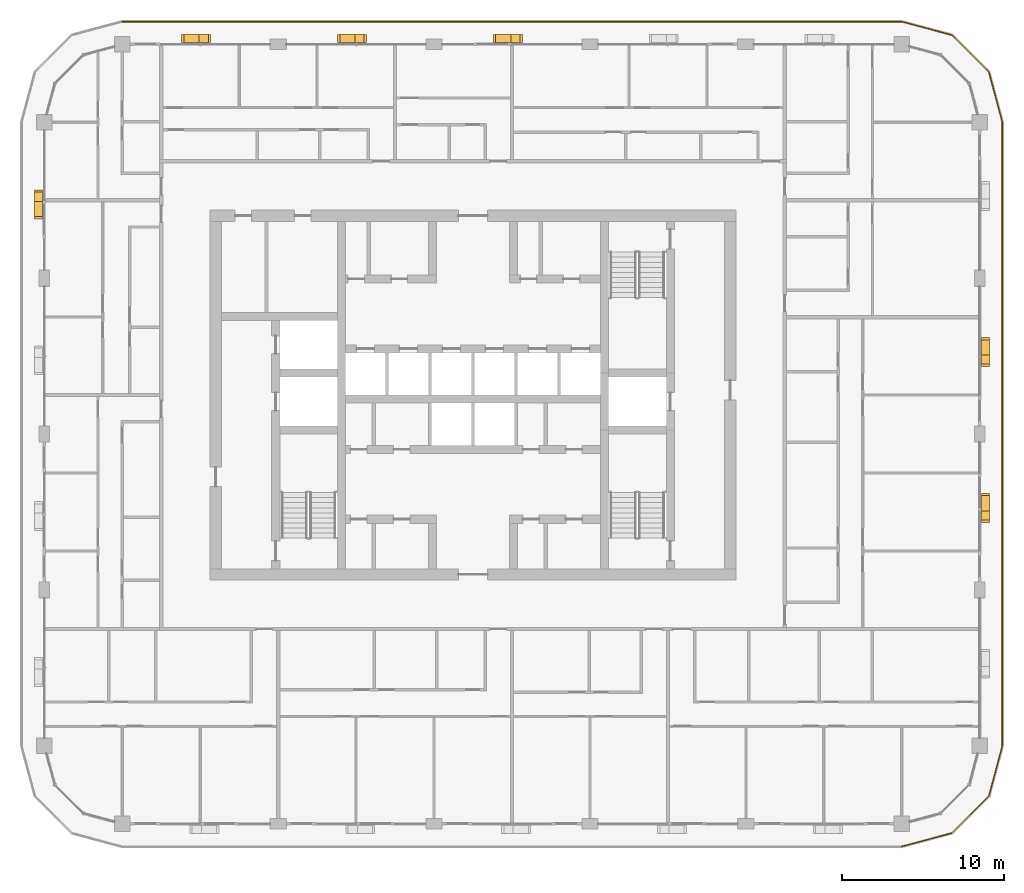
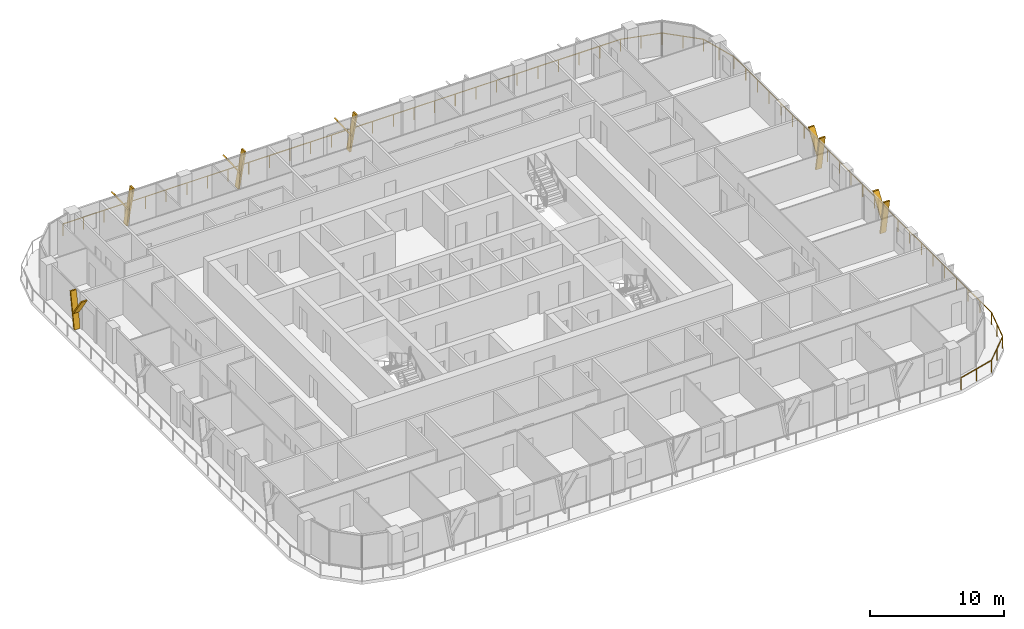
# One storey, part 21 of 22: 12 shading devices, 1 railing.
"""IFC4 building model written with IfcOpenShell, lengths in metres."""

from ifc_helpers import new_model, si_unit, direction, frame, origin, origin_2d, place, context, subcontext, project, spatial, polyline, circle, outline, extrude, material, type_object, element, save


model = new_model("IFC4")

# Units and contexts
model_context = context("Model", 3, precision=1e-05, world=origin(), true_north=direction((0.0, 1.0)))
body_context = subcontext(model_context, "Body", "Model", "MODEL_VIEW")
ifc_project = project(units=[si_unit("LENGTHUNIT", "METRE"), si_unit("AREAUNIT", "SQUARE_METRE"), si_unit("VOLUMEUNIT", "CUBIC_METRE"), si_unit("PLANEANGLEUNIT", "RADIAN"), si_unit("MASSUNIT", "GRAM", prefix="KILO")], contexts=[model_context])

# Site, building, storey
site_placement = place(None, origin())
site = spatial("IfcSite", under=ifc_project, at=site_placement, CompositionType="ELEMENT")
building_placement = place(site_placement, origin())
building = spatial("IfcBuilding", under=site, at=building_placement, Name="Madar Terraces", CompositionType="ELEMENT")
storey_placement = place(building_placement, frame((0.0, 0.0, 178.89990234375)))
storey = spatial("IfcBuildingStorey", under=building, at=storey_placement, Name="L46", CompositionType="ELEMENT", Elevation=178.89990234375)

# Railing
ifc_material_1 = material(Name="Glass, safety glazing, with stainless steel posts", Category="steel")
railing_type = type_object("IfcRailingType", Name="Balcony glass guard 1100", PredefinedType="GUARDRAIL", material=ifc_material_1)
railing_placement = place(storey_placement, frame((57.60009765625, -1.39990234375, 0.0)))
element("IfcRailing", 1, at=railing_placement, inside=storey, type_object=railing_type, Name="Balcony guard", PredefinedType="GUARDRAIL", context=body_context, shape_type="SweptSolid", body=[
    extrude(circle(Radius=0.02392578125, at=origin_2d()), frame((0.0, 0.0, 1.076171875), z_axis=(0.965928696102, 0.258808334578, 0.0), x_axis=(-0.258808334578, 0.965928696102, 0.0)), (0.0, 0.0, 1.0), 3.209228515625),
    extrude(circle(Radius=0.02392578125, at=origin_2d()), frame((3.099853515625, 0.83056640625, 1.076171875), z_axis=(0.707144815061, 0.707068745266, 0.0), x_axis=(-0.707068745266, 0.707144815061, 0.0)), (0.0, 0.0, 1.0), 3.20947265625),
    extrude(circle(Radius=0.02392578125, at=origin_2d()), frame((5.369384765625, 3.099853515625, 1.076171875), z_axis=(0.258789317819, 0.9659337912, 0.0), x_axis=(-0.9659337912, 0.258789317819, 0.0)), (0.0, 0.0, 1.0), 3.20947265625),
    extrude(circle(Radius=0.02392578125, at=origin_2d()), frame((6.199951171875, 6.199951171875, 1.076171875), z_axis=(0.0, 1.0, 0.0), x_axis=(-1.0, 0.0, 0.0)), (0.0, 0.0, 1.0), 38.39990234375),
    extrude(circle(Radius=0.02392578125, at=origin_2d()), frame((6.199951171875, 44.599853515625, 1.076171875), z_axis=(-0.258789317819, 0.9659337912, 0.0), x_axis=(-0.9659337912, -0.258789317819, 0.0)), (0.0, 0.0, 1.0), 3.20947265625),
    extrude(circle(Radius=0.02392578125, at=origin_2d()), frame((5.369384765625, 47.699951171875, 1.076171875), z_axis=(-0.707144815061, 0.707068745266, 0.0), x_axis=(-0.707068745266, -0.707144815061, 0.0)), (0.0, 0.0, 1.0), 3.20947265625),
    extrude(circle(Radius=0.02392578125, at=origin_2d()), frame((3.099853515625, 49.96923828125, 1.076171875), z_axis=(-0.965928696102, 0.258808334578, 0.0), x_axis=(-0.258808334578, -0.965928696102, 0.0)), (0.0, 0.0, 1.0), 3.209228515625),
    extrude(circle(Radius=0.02392578125, at=origin_2d()), frame((0.0, 50.7998046875, 1.076171875), z_axis=(-1.0, 0.0, 0.0), x_axis=(0.0, -1.0, 0.0)), (0.0, 0.0, 1.0), 48.0),
    extrude(circle(Radius=0.02099609375, at=origin_2d()), origin(), (0.0, 0.0, 1.0), 1.052001953125),
    extrude(circle(Radius=0.02099609375, at=origin_2d()), frame((1.5498046875, 0.415283203125, 0.0)), (0.0, 0.0, 1.0), 1.052001953125),
    extrude(circle(Radius=0.02099609375, at=origin_2d()), frame((3.099853515625, 0.83056640625, 0.0)), (0.0, 0.0, 1.0), 1.052001953125),
    extrude(circle(Radius=0.02099609375, at=origin_2d()), frame((4.234619140625, 1.96533203125, 0.0)), (0.0, 0.0, 1.0), 1.052001953125),
    extrude(circle(Radius=0.02099609375, at=origin_2d()), frame((5.369384765625, 3.099853515625, 0.0)), (0.0, 0.0, 1.0), 1.052001953125),
    extrude(circle(Radius=0.02099609375, at=origin_2d()), frame((5.78466796875, 4.64990234375, 0.0)), (0.0, 0.0, 1.0), 1.052001953125),
    extrude(circle(Radius=0.02099609375, at=origin_2d()), frame((6.199951171875, 6.199951171875, 0.0)), (0.0, 0.0, 1.0), 1.052001953125),
    extrude(circle(Radius=0.02099609375, at=origin_2d()), frame((6.199951171875, 7.9453125, 0.0)), (0.0, 0.0, 1.0), 1.052001953125),
    extrude(circle(Radius=0.02099609375, at=origin_2d()), frame((6.199951171875, 9.69091796875, 0.0)), (0.0, 0.0, 1.0), 1.052001953125),
    extrude(circle(Radius=0.02099609375, at=origin_2d()), frame((6.199951171875, 11.436279296875, 0.0)), (0.0, 0.0, 1.0), 1.052001953125),
    extrude(circle(Radius=0.02099609375, at=origin_2d()), frame((6.199951171875, 13.181640625, 0.0)), (0.0, 0.0, 1.0), 1.052001953125),
    extrude(circle(Radius=0.02099609375, at=origin_2d()), frame((6.199951171875, 14.92724609375, 0.0)), (0.0, 0.0, 1.0), 1.052001953125),
    extrude(circle(Radius=0.02099609375, at=origin_2d()), frame((6.199951171875, 16.672607421875, 0.0)), (0.0, 0.0, 1.0), 1.052001953125),
    extrude(circle(Radius=0.02099609375, at=origin_2d()), frame((6.199951171875, 18.418212890625, 0.0)), (0.0, 0.0, 1.0), 1.052001953125),
    extrude(circle(Radius=0.02099609375, at=origin_2d()), frame((6.199951171875, 20.16357421875, 0.0)), (0.0, 0.0, 1.0), 1.052001953125),
    extrude(circle(Radius=0.02099609375, at=origin_2d()), frame((6.199951171875, 21.908935546875, 0.0)), (0.0, 0.0, 1.0), 1.052001953125),
    extrude(circle(Radius=0.02099609375, at=origin_2d()), frame((6.199951171875, 23.654541015625, 0.0)), (0.0, 0.0, 1.0), 1.052001953125),
    extrude(circle(Radius=0.02099609375, at=origin_2d()), frame((6.199951171875, 25.39990234375, 0.0)), (0.0, 0.0, 1.0), 1.052001953125),
    extrude(circle(Radius=0.02099609375, at=origin_2d()), frame((6.199951171875, 27.145263671875, 0.0)), (0.0, 0.0, 1.0), 1.052001953125),
    extrude(circle(Radius=0.02099609375, at=origin_2d()), frame((6.199951171875, 28.890869140625, 0.0)), (0.0, 0.0, 1.0), 1.052001953125),
    extrude(circle(Radius=0.02099609375, at=origin_2d()), frame((6.199951171875, 30.63623046875, 0.0)), (0.0, 0.0, 1.0), 1.052001953125),
    extrude(circle(Radius=0.02099609375, at=origin_2d()), frame((6.199951171875, 32.381591796875, 0.0)), (0.0, 0.0, 1.0), 1.052001953125),
    extrude(circle(Radius=0.02099609375, at=origin_2d()), frame((6.199951171875, 34.127197265625, 0.0)), (0.0, 0.0, 1.0), 1.052001953125),
    extrude(circle(Radius=0.02099609375, at=origin_2d()), frame((6.199951171875, 35.87255859375, 0.0)), (0.0, 0.0, 1.0), 1.052001953125),
    extrude(circle(Radius=0.02099609375, at=origin_2d()), frame((6.199951171875, 37.6181640625, 0.0)), (0.0, 0.0, 1.0), 1.052001953125),
    extrude(circle(Radius=0.02099609375, at=origin_2d()), frame((6.199951171875, 39.363525390625, 0.0)), (0.0, 0.0, 1.0), 1.052001953125),
    extrude(circle(Radius=0.02099609375, at=origin_2d()), frame((6.199951171875, 41.10888671875, 0.0)), (0.0, 0.0, 1.0), 1.052001953125),
    extrude(circle(Radius=0.02099609375, at=origin_2d()), frame((6.199951171875, 42.8544921875, 0.0)), (0.0, 0.0, 1.0), 1.052001953125),
    extrude(circle(Radius=0.02099609375, at=origin_2d()), frame((6.199951171875, 44.599853515625, 0.0)), (0.0, 0.0, 1.0), 1.052001953125),
    extrude(circle(Radius=0.02099609375, at=origin_2d()), frame((5.78466796875, 46.14990234375, 0.0)), (0.0, 0.0, 1.0), 1.052001953125),
    extrude(circle(Radius=0.02099609375, at=origin_2d()), frame((5.369384765625, 47.699951171875, 0.0)), (0.0, 0.0, 1.0), 1.052001953125),
    extrude(circle(Radius=0.02099609375, at=origin_2d()), frame((4.234619140625, 48.83447265625, 0.0)), (0.0, 0.0, 1.0), 1.052001953125),
    extrude(circle(Radius=0.02099609375, at=origin_2d()), frame((3.099853515625, 49.96923828125, 0.0)), (0.0, 0.0, 1.0), 1.052001953125),
    extrude(circle(Radius=0.02099609375, at=origin_2d()), frame((1.5498046875, 50.384521484375, 0.0)), (0.0, 0.0, 1.0), 1.052001953125),
    extrude(circle(Radius=0.02099609375, at=origin_2d()), frame((0.0, 50.7998046875, 0.0)), (0.0, 0.0, 1.0), 1.052001953125),
    extrude(circle(Radius=0.02099609375, at=origin_2d()), frame((-1.77783203125, 50.7998046875, 0.0)), (0.0, 0.0, 1.0), 1.052001953125),
    extrude(circle(Radius=0.02099609375, at=origin_2d()), frame((-3.5556640625, 50.7998046875, 0.0)), (0.0, 0.0, 1.0), 1.052001953125),
    extrude(circle(Radius=0.02099609375, at=origin_2d()), frame((-5.333251953125, 50.7998046875, 0.0)), (0.0, 0.0, 1.0), 1.052001953125),
    extrude(circle(Radius=0.02099609375, at=origin_2d()), frame((-7.111083984375, 50.7998046875, 0.0)), (0.0, 0.0, 1.0), 1.052001953125),
    extrude(circle(Radius=0.02099609375, at=origin_2d()), frame((-8.888916015625, 50.7998046875, 0.0)), (0.0, 0.0, 1.0), 1.052001953125),
    extrude(circle(Radius=0.02099609375, at=origin_2d()), frame((-10.666748046875, 50.7998046875, 0.0)), (0.0, 0.0, 1.0), 1.052001953125),
    extrude(circle(Radius=0.02099609375, at=origin_2d()), frame((-12.4443359375, 50.7998046875, 0.0)), (0.0, 0.0, 1.0), 1.052001953125),
    extrude(circle(Radius=0.02099609375, at=origin_2d()), frame((-14.22216796875, 50.7998046875, 0.0)), (0.0, 0.0, 1.0), 1.052001953125),
    extrude(circle(Radius=0.02099609375, at=origin_2d()), frame((-16.0, 50.7998046875, 0.0)), (0.0, 0.0, 1.0), 1.052001953125),
    extrude(circle(Radius=0.02099609375, at=origin_2d()), frame((-17.77783203125, 50.7998046875, 0.0)), (0.0, 0.0, 1.0), 1.052001953125),
    extrude(circle(Radius=0.02099609375, at=origin_2d()), frame((-19.5556640625, 50.7998046875, 0.0)), (0.0, 0.0, 1.0), 1.052001953125),
    extrude(circle(Radius=0.02099609375, at=origin_2d()), frame((-21.333251953125, 50.7998046875, 0.0)), (0.0, 0.0, 1.0), 1.052001953125),
    extrude(circle(Radius=0.02099609375, at=origin_2d()), frame((-23.111083984375, 50.7998046875, 0.0)), (0.0, 0.0, 1.0), 1.052001953125),
    extrude(circle(Radius=0.02099609375, at=origin_2d()), frame((-24.888916015625, 50.7998046875, 0.0)), (0.0, 0.0, 1.0), 1.052001953125),
    extrude(circle(Radius=0.02099609375, at=origin_2d()), frame((-26.666748046875, 50.7998046875, 0.0)), (0.0, 0.0, 1.0), 1.052001953125),
    extrude(circle(Radius=0.02099609375, at=origin_2d()), frame((-28.4443359375, 50.7998046875, 0.0)), (0.0, 0.0, 1.0), 1.052001953125),
    extrude(circle(Radius=0.02099609375, at=origin_2d()), frame((-30.22216796875, 50.7998046875, 0.0)), (0.0, 0.0, 1.0), 1.052001953125),
    extrude(circle(Radius=0.02099609375, at=origin_2d()), frame((-32.0, 50.7998046875, 0.0)), (0.0, 0.0, 1.0), 1.052001953125),
    extrude(circle(Radius=0.02099609375, at=origin_2d()), frame((-33.77783203125, 50.7998046875, 0.0)), (0.0, 0.0, 1.0), 1.052001953125),
    extrude(circle(Radius=0.02099609375, at=origin_2d()), frame((-35.5556640625, 50.7998046875, 0.0)), (0.0, 0.0, 1.0), 1.052001953125),
    extrude(circle(Radius=0.02099609375, at=origin_2d()), frame((-37.333251953125, 50.7998046875, 0.0)), (0.0, 0.0, 1.0), 1.052001953125),
    extrude(circle(Radius=0.02099609375, at=origin_2d()), frame((-39.111083984375, 50.7998046875, 0.0)), (0.0, 0.0, 1.0), 1.052001953125),
    extrude(circle(Radius=0.02099609375, at=origin_2d()), frame((-40.888916015625, 50.7998046875, 0.0)), (0.0, 0.0, 1.0), 1.052001953125),
    extrude(circle(Radius=0.02099609375, at=origin_2d()), frame((-42.666748046875, 50.7998046875, 0.0)), (0.0, 0.0, 1.0), 1.052001953125),
    extrude(circle(Radius=0.02099609375, at=origin_2d()), frame((-44.4443359375, 50.7998046875, 0.0)), (0.0, 0.0, 1.0), 1.052001953125),
    extrude(circle(Radius=0.02099609375, at=origin_2d()), frame((-46.22216796875, 50.7998046875, 0.0)), (0.0, 0.0, 1.0), 1.052001953125),
    extrude(circle(Radius=0.02099609375, at=origin_2d()), frame((-48.0, 50.7998046875, 0.0)), (0.0, 0.0, 1.0), 1.052001953125),
])

# Shading devices
ifc_material_2 = material(Name="Aluminium, black anodised", Category="aluminium")
shading_device_type = type_object("IfcShadingDeviceType", Name="Facade fin blade 140 x 500", PredefinedType="USERDEFINED", material=ifc_material_2)
shading_device_1_placement = place(storey_placement, frame((62.75, 19.1298828125, 0.0), z_axis=(0.0, 0.0, 1.0), x_axis=(0.0, 1.0, 0.0)))
element("IfcShadingDevice", 2, at=shading_device_1_placement, inside=storey, type_object=shading_device_type, Name="FIN L46 E2", ObjectType="FIN", PredefinedType="USERDEFINED", context=body_context, shape_type="SweptSolid", body=[
    extrude(outline(polyline([(0.0, 0.0), (0.14013671875, 0.0), (-0.42431640625, 3.2001953125), (-0.564208984375, 3.2001953125), (0.0, 0.0)])), frame((0.0, 0.25, 0.0), z_axis=(0.0, -1.0, 0.0), x_axis=(1.0, 0.0, 0.0)), (0.0, 0.0, 1.0), 0.5),
])
shading_device_2_placement = place(storey_placement, frame((62.75, 19.01611328125, 1.440185546875), z_axis=(0.0, 0.0, 1.0), x_axis=(0.0, 1.0, 0.0)))
element("IfcShadingDevice", 3, at=shading_device_2_placement, inside=storey, type_object=shading_device_type, Name="FIN L46 E2 branch", ObjectType="FIN", PredefinedType="USERDEFINED", context=body_context, shape_type="SweptSolid", body=[
    extrude(outline(polyline([(0.0, 0.0), (0.139892578125, 0.0), (1.32958984375, 1.760009765625), (1.189697265625, 1.760009765625), (0.0, 0.0)])), frame((0.0, 0.25, 0.0), z_axis=(0.0, -1.0, 0.0), x_axis=(1.0, 0.0, 0.0)), (0.0, 0.0, 1.0), 0.5),
])
shading_device_3_placement = place(storey_placement, frame((62.75, 28.72998046875, 0.0), z_axis=(0.0, 0.0, 1.0), x_axis=(0.0, 1.0, 0.0)))
element("IfcShadingDevice", 4, at=shading_device_3_placement, inside=storey, type_object=shading_device_type, Name="FIN L46 E3", ObjectType="FIN", PredefinedType="USERDEFINED", context=body_context, shape_type="SweptSolid", body=[
    extrude(outline(polyline([(0.0, 0.0), (0.14013671875, 0.0), (-0.42431640625, 3.2001953125), (-0.564208984375, 3.2001953125), (0.0, 0.0)])), frame((0.0, 0.25, 0.0), z_axis=(0.0, -1.0, 0.0), x_axis=(1.0, 0.0, 0.0)), (0.0, 0.0, 1.0), 0.5),
])
shading_device_4_placement = place(storey_placement, frame((62.75, 28.6162109375, 1.440185546875), z_axis=(0.0, 0.0, 1.0), x_axis=(0.0, 1.0, 0.0)))
element("IfcShadingDevice", 5, at=shading_device_4_placement, inside=storey, type_object=shading_device_type, Name="FIN L46 E3 branch", ObjectType="FIN", PredefinedType="USERDEFINED", context=body_context, shape_type="SweptSolid", body=[
    extrude(outline(polyline([(0.0, 0.0), (0.139892578125, 0.0), (1.32958984375, 1.760009765625), (1.189697265625, 1.760009765625), (0.0, 0.0)])), frame((0.0, 0.25, 0.0), z_axis=(0.0, -1.0, 0.0), x_axis=(1.0, 0.0, 0.0)), (0.0, 0.0, 1.0), 0.5),
])
shading_device_5_placement = place(storey_placement, frame((33.669921875, 48.35009765625, 0.0), z_axis=(0.0, 0.0, 1.0), x_axis=(-1.0, 0.0, 0.0)))
element("IfcShadingDevice", 6, at=shading_device_5_placement, inside=storey, type_object=shading_device_type, Name="FIN L46 N3", ObjectType="FIN", PredefinedType="USERDEFINED", context=body_context, shape_type="SweptSolid", body=[
    extrude(outline(polyline([(0.0, 0.0), (0.139892578125, 0.0), (-0.42431640625, 3.2001953125), (-0.564208984375, 3.2001953125), (0.0, 0.0)])), frame((0.0, 0.25, 0.0), z_axis=(0.0, -1.0, 0.0), x_axis=(1.0, 0.0, 0.0)), (0.0, 0.0, 1.0), 0.5),
])
shading_device_6_placement = place(storey_placement, frame((33.783935546875, 48.35009765625, 1.440185546875), z_axis=(0.0, 0.0, 1.0), x_axis=(-1.0, 0.0, 0.0)))
element("IfcShadingDevice", 7, at=shading_device_6_placement, inside=storey, type_object=shading_device_type, Name="FIN L46 N3 branch", ObjectType="FIN", PredefinedType="USERDEFINED", context=body_context, shape_type="SweptSolid", body=[
    extrude(outline(polyline([(0.0, 0.0), (0.14013671875, 0.0), (1.32958984375, 1.760009765625), (1.189697265625, 1.760009765625), (0.0, 0.0)])), frame((0.0, 0.25, 0.0), z_axis=(0.0, -1.0, 0.0), x_axis=(1.0, 0.0, 0.0)), (0.0, 0.0, 1.0), 0.5),
])
shading_device_7_placement = place(storey_placement, frame((24.070068359375, 48.35009765625, 0.0), z_axis=(0.0, 0.0, 1.0), x_axis=(-1.0, 0.0, 0.0)))
element("IfcShadingDevice", 8, at=shading_device_7_placement, inside=storey, type_object=shading_device_type, Name="FIN L46 N4", ObjectType="FIN", PredefinedType="USERDEFINED", context=body_context, shape_type="SweptSolid", body=[
    extrude(outline(polyline([(0.0, 0.0), (0.14013671875, 0.0), (-0.42431640625, 3.2001953125), (-0.564208984375, 3.2001953125), (0.0, 0.0)])), frame((0.0, 0.25, 0.0), z_axis=(0.0, -1.0, 0.0), x_axis=(1.0, 0.0, 0.0)), (0.0, 0.0, 1.0), 0.5),
])
shading_device_8_placement = place(storey_placement, frame((24.183837890625, 48.35009765625, 1.440185546875), z_axis=(0.0, 0.0, 1.0), x_axis=(-1.0, 0.0, 0.0)))
element("IfcShadingDevice", 9, at=shading_device_8_placement, inside=storey, type_object=shading_device_type, Name="FIN L46 N4 branch", ObjectType="FIN", PredefinedType="USERDEFINED", context=body_context, shape_type="SweptSolid", body=[
    extrude(outline(polyline([(0.0, 0.0), (0.139892578125, 0.0), (1.32958984375, 1.760009765625), (1.189697265625, 1.760009765625), (0.0, 0.0)])), frame((0.0, 0.25, 0.0), z_axis=(0.0, -1.0, 0.0), x_axis=(1.0, 0.0, 0.0)), (0.0, 0.0, 1.0), 0.5),
])
shading_device_9_placement = place(storey_placement, frame((14.469970703125, 48.35009765625, 0.0), z_axis=(0.0, 0.0, 1.0), x_axis=(-1.0, 0.0, 0.0)))
element("IfcShadingDevice", 10, at=shading_device_9_placement, inside=storey, type_object=shading_device_type, Name="FIN L46 N5", ObjectType="FIN", PredefinedType="USERDEFINED", context=body_context, shape_type="SweptSolid", body=[
    extrude(outline(polyline([(0.0, 0.0), (0.139892578125, 0.0), (-0.42431640625, 3.2001953125), (-0.564208984375, 3.2001953125), (0.0, 0.0)])), frame((0.0, 0.25, 0.0), z_axis=(0.0, -1.0, 0.0), x_axis=(1.0, 0.0, 0.0)), (0.0, 0.0, 1.0), 0.5),
])
shading_device_10_placement = place(storey_placement, frame((14.583984375, 48.35009765625, 1.440185546875), z_axis=(0.0, 0.0, 1.0), x_axis=(-1.0, 0.0, 0.0)))
element("IfcShadingDevice", 11, at=shading_device_10_placement, inside=storey, type_object=shading_device_type, Name="FIN L46 N5 branch", ObjectType="FIN", PredefinedType="USERDEFINED", context=body_context, shape_type="SweptSolid", body=[
    extrude(outline(polyline([(0.0, 0.0), (0.14013671875, 0.0), (1.32958984375, 1.760009765625), (1.189697265625, 1.760009765625), (0.0, 0.0)])), frame((0.0, 0.25, 0.0), z_axis=(0.0, -1.0, 0.0), x_axis=(1.0, 0.0, 0.0)), (0.0, 0.0, 1.0), 0.5),
])
shading_device_11_placement = place(storey_placement, frame((4.449951171875, 38.469970703125, 0.0), z_axis=(0.0, 0.0, 1.0), x_axis=(0.0, -1.0, 0.0)))
element("IfcShadingDevice", 12, at=shading_device_11_placement, inside=storey, type_object=shading_device_type, Name="FIN L46 W1", ObjectType="FIN", PredefinedType="USERDEFINED", context=body_context, shape_type="SweptSolid", body=[
    extrude(outline(polyline([(0.0, 0.0), (0.139892578125, 0.0), (-0.42431640625, 3.2001953125), (-0.564208984375, 3.2001953125), (0.0, 0.0)])), frame((0.0, 0.25, 0.0), z_axis=(0.0, -1.0, 0.0), x_axis=(1.0, 0.0, 0.0)), (0.0, 0.0, 1.0), 0.5),
])
shading_device_12_placement = place(storey_placement, frame((4.449951171875, 38.583984375, 1.440185546875), z_axis=(0.0, 0.0, 1.0), x_axis=(0.0, -1.0, 0.0)))
element("IfcShadingDevice", 13, at=shading_device_12_placement, inside=storey, type_object=shading_device_type, Name="FIN L46 W1 branch", ObjectType="FIN", PredefinedType="USERDEFINED", context=body_context, shape_type="SweptSolid", body=[
    extrude(outline(polyline([(0.0, 0.0), (0.14013671875, 0.0), (1.32958984375, 1.760009765625), (1.189697265625, 1.760009765625), (0.0, 0.0)])), frame((0.0, 0.25, 0.0), z_axis=(0.0, -1.0, 0.0), x_axis=(1.0, 0.0, 0.0)), (0.0, 0.0, 1.0), 0.5),
])

save(model, "model.ifc")
